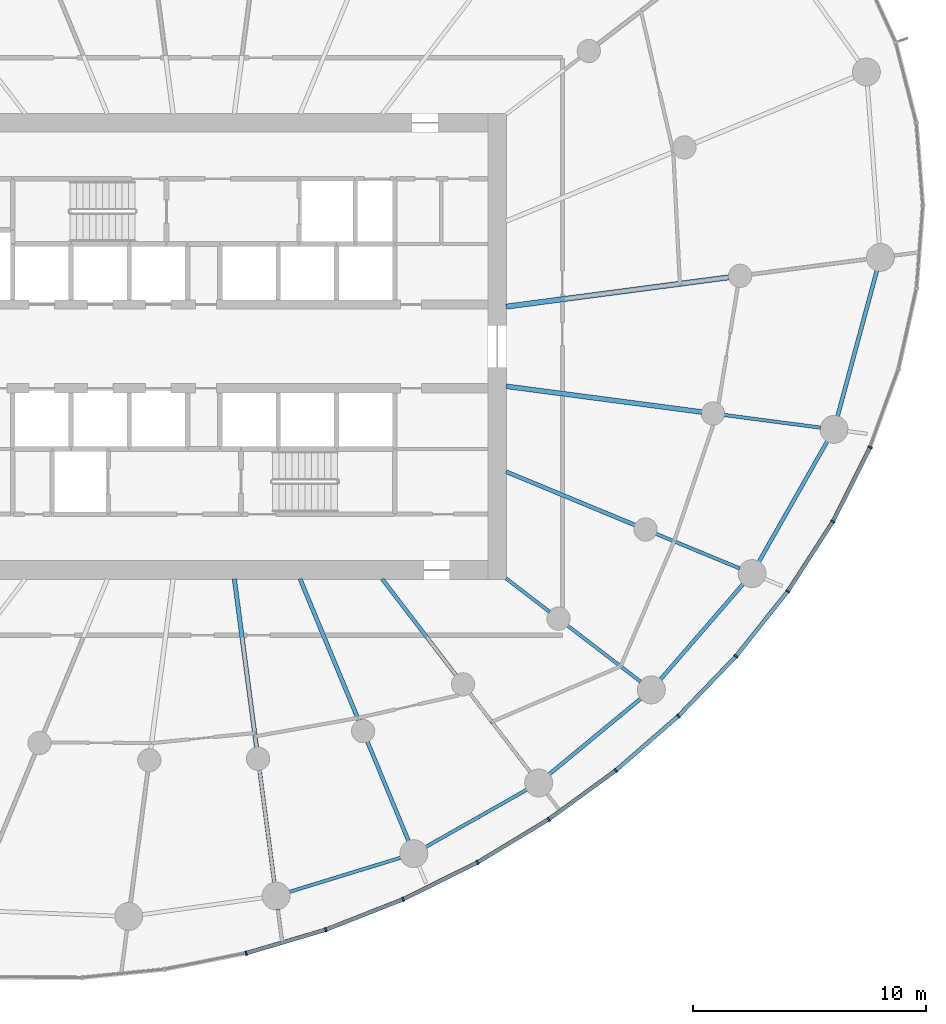
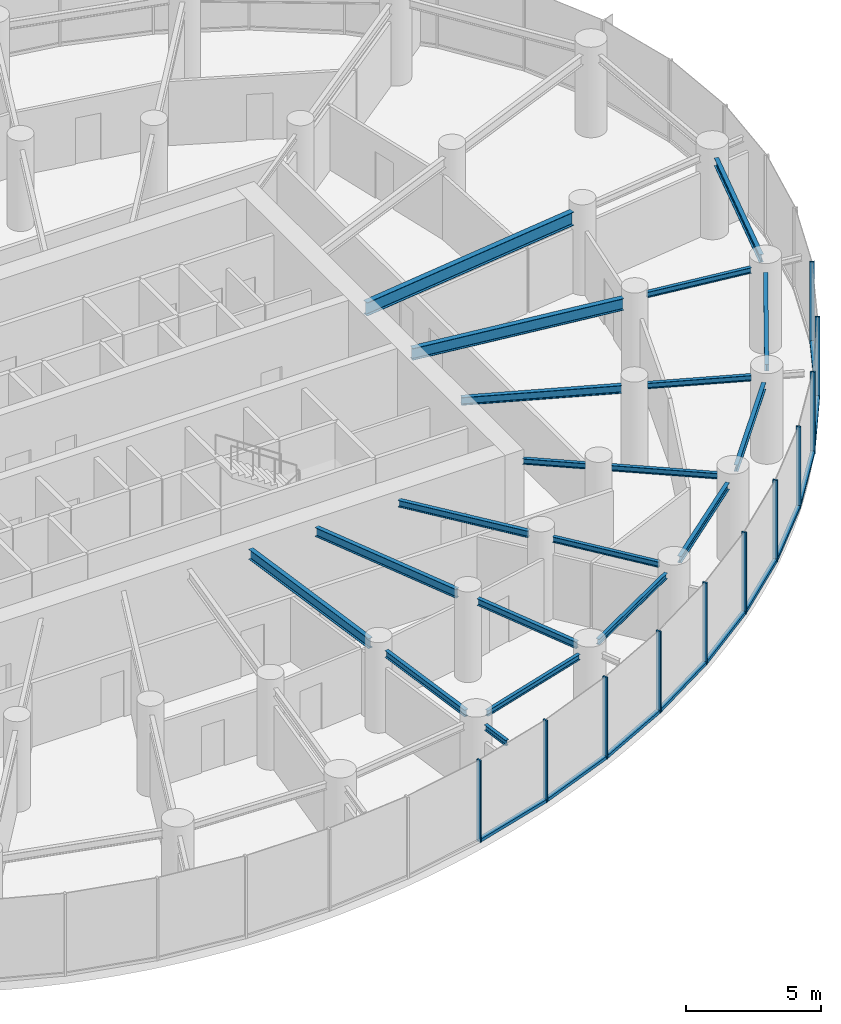
# One storey, part 4 of 17: 21 members, 20 beams, 3 elements without a shape of their own.
"""IFC4 building model written with IfcOpenShell, lengths in metres."""

from ifc_helpers import new_model, si_unit, direction, frame, origin, origin_2d, place, context, subcontext, project, spatial, rectangle, i_section, extrude, source, transform, mapped, material, layer, layer_set, material_profile, profile_set, type_object, element, aggregate, save


model = new_model("IFC4")

# Units and contexts
model_context = context("Model", 3, precision=1e-05, world=origin(), true_north=direction((0.0, 1.0)))
body_context = subcontext(model_context, "Body", "Model", "MODEL_VIEW")
ifc_project = project(units=[si_unit("LENGTHUNIT", "METRE"), si_unit("AREAUNIT", "SQUARE_METRE"), si_unit("VOLUMEUNIT", "CUBIC_METRE"), si_unit("PLANEANGLEUNIT", "RADIAN"), si_unit("MASSUNIT", "GRAM", prefix="KILO")], contexts=[model_context])

# Site, building, storey
site_placement = place(None, origin())
site = spatial("IfcSite", under=ifc_project, at=site_placement, CompositionType="ELEMENT")
building_placement = place(site_placement, origin())
building = spatial("IfcBuilding", under=site, at=building_placement, Name="Spindrift Exchange Tower", CompositionType="ELEMENT")
storey_placement = place(building_placement, frame((0.0, 0.0, 120.800048828125)))
storey = spatial("IfcBuildingStorey", under=building, at=storey_placement, Name="L28", CompositionType="ELEMENT", Elevation=120.800048828125)

# Beams
ifc_material_1 = material(Name="Steel Grade 300", Category="steel")
ifc_material_profile_1 = material_profile(ifc_material_1, i_section(OverallWidth=0.22802734375, OverallDepth=0.60693359375, WebThickness=0.01123046875, FlangeThickness=0.017333984375, FilletRadius=0.013916015625, at=origin_2d()), Name="610UB113")
ifc_profile_set_1 = profile_set([ifc_material_profile_1], Name="Steel Grade 300")
beam_type_1 = type_object("IfcBeamType", Name="Floor Beam 610UB113 Steel Grade 300", PredefinedType="BEAM", material=ifc_profile_set_1)
shared_shape_1 = source(origin(), body_context, "Body", "SweptSolid", [
    extrude(i_section(OverallWidth=0.22802734375, OverallDepth=0.60693359375, WebThickness=0.01123046875, FlangeThickness=0.017333984375, FilletRadius=0.013916015625, at=origin_2d()), origin(), (0.0, 0.0, 1.0), 9.660400390625),
])
beam_1_placement = place(storey_placement, frame((64.980224609375, 49.708984375, 3.396484375), z_axis=(0.99144767089, 0.130504850054, 0.0), x_axis=(-0.130504850054, 0.99144767089, 0.0)))
element("IfcBeam", 1, at=beam_1_placement, inside=storey, type_object=beam_type_1, Name="L28 radial beam R01A", PredefinedType="BEAM", context=body_context, shape_type="MappedRepresentation", body=[
    mapped(shared_shape_1, transform((0.0, 0.0, 0.0), scale=1.0)),
])
ifc_material_profile_2 = material_profile(ifc_material_1, i_section(OverallWidth=0.18994140625, OverallDepth=0.45703125, WebThickness=0.009033203125, FlangeThickness=0.014404296875, FilletRadius=0.013916015625, at=origin_2d()), Name="460UB74.6")
ifc_profile_set_2 = profile_set([ifc_material_profile_2], Name="Steel Grade 300")
beam_type_2 = type_object("IfcBeamType", Name="Floor Beam 460UB74.6 Steel Grade 300", PredefinedType="BEAM", material=ifc_profile_set_2)
shared_shape_2 = source(origin(), body_context, "Body", "SweptSolid", [
    extrude(i_section(OverallWidth=0.18994140625, OverallDepth=0.45703125, WebThickness=0.009033203125, FlangeThickness=0.014404296875, FilletRadius=0.013916015625, at=origin_2d()), origin(), (0.0, 0.0, 1.0), 7.3095703125),
])
beam_2_placement = place(storey_placement, frame((53.31396484375, 38.019775390625, 3.471435546875), z_axis=(0.130527087244, -0.991444743541, 0.0), x_axis=(0.991444743541, 0.130527087244, 0.0)))
element("IfcBeam", 2, at=beam_2_placement, inside=storey, type_object=beam_type_2, Name="L28 radial beam R19A", PredefinedType="BEAM", context=body_context, shape_type="MappedRepresentation", body=[
    mapped(shared_shape_2, transform((0.0, 0.0, 0.0), scale=1.0)),
])
ifc_material_profile_3 = material_profile(ifc_material_1, i_section(OverallWidth=0.177978515625, OverallDepth=0.406005859375, WebThickness=0.0078125, FlangeThickness=0.0126953125, FilletRadius=0.013916015625, at=origin_2d()), Name="410UB59.7")
ifc_profile_set_3 = profile_set([ifc_material_profile_3], Name="Steel Grade 300")
beam_type_3 = type_object("IfcBeamType", Name="Floor Beam 410UB59.7 Steel Grade 300", PredefinedType="BEAM", material=ifc_profile_set_3)
shared_shape_3 = source(origin(), body_context, "Body", "SweptSolid", [
    extrude(i_section(OverallWidth=0.177978515625, OverallDepth=0.406005859375, WebThickness=0.0078125, FlangeThickness=0.0126953125, FilletRadius=0.013916015625, at=origin_2d()), origin(), (0.0, 0.0, 1.0), 6.594482421875),
])
beam_3_placement = place(storey_placement, frame((56.134521484375, 38.0185546875, 3.4970703125), z_axis=(0.382692929746, -0.92387559851, 0.0), x_axis=(0.92387559851, 0.382692929746, 0.0)))
element("IfcBeam", 3, at=beam_3_placement, inside=storey, type_object=beam_type_3, Name="L28 radial beam R20A", PredefinedType="BEAM", context=body_context, shape_type="MappedRepresentation", body=[
    mapped(shared_shape_3, transform((0.0, 0.0, 0.0), scale=1.0)),
])
ifc_material_profile_4 = material_profile(ifc_material_1, i_section(OverallWidth=0.1650390625, OverallDepth=0.303955078125, WebThickness=0.006103515625, FlangeThickness=0.01025390625, FilletRadius=0.011474609375, at=origin_2d()), Name="310UB40.4")
ifc_profile_set_4 = profile_set([ifc_material_profile_4], Name="Steel Grade 300")
beam_type_4 = type_object("IfcBeamType", Name="Floor Beam 310UB40.4 Steel Grade 300", PredefinedType="BEAM", material=ifc_profile_set_4)
shared_shape_4 = source(origin(), body_context, "Body", "SweptSolid", [
    extrude(i_section(OverallWidth=0.1650390625, OverallDepth=0.303955078125, WebThickness=0.006103515625, FlangeThickness=0.01025390625, FilletRadius=0.011474609375, at=origin_2d()), origin(), (0.0, 0.0, 1.0), 5.224609375),
])
beam_4_placement = place(storey_placement, frame((59.6611328125, 38.015869140625, 3.5478515625), z_axis=(0.608741499316, -0.793368632485, 0.0), x_axis=(0.793368632485, 0.608741499316, 0.0)))
element("IfcBeam", 4, at=beam_4_placement, inside=storey, type_object=beam_type_4, Name="L28 radial beam R21A", PredefinedType="BEAM", context=body_context, shape_type="MappedRepresentation", body=[
    mapped(shared_shape_4, transform((0.0, 0.0, 0.0), scale=1.0)),
])
ifc_material_profile_5 = material_profile(ifc_material_1, i_section(OverallWidth=0.14599609375, OverallDepth=0.251953125, WebThickness=0.006103515625, FlangeThickness=0.008544921875, FilletRadius=0.011962890625, at=origin_2d()), Name="250UB31.4")
ifc_profile_set_5 = profile_set([ifc_material_profile_5], Name="Steel Grade 300")
beam_type_5 = type_object("IfcBeamType", Name="Floor Beam 250UB31.4 Steel Grade 300", PredefinedType="BEAM", material=ifc_profile_set_5)
shared_shape_5 = source(origin(), body_context, "Body", "SweptSolid", [
    extrude(i_section(OverallWidth=0.14599609375, OverallDepth=0.251953125, WebThickness=0.006103515625, FlangeThickness=0.008544921875, FilletRadius=0.011962890625, at=origin_2d()), origin(), (0.0, 0.0, 1.0), 2.353759765625),
])
beam_5_placement = place(storey_placement, frame((64.984130859375, 38.036865234375, 3.573974609375), z_axis=(0.793367573265, -0.608742879787, 0.0), x_axis=(0.608742879787, 0.793367573265, 0.0)))
element("IfcBeam", 5, at=beam_5_placement, inside=storey, type_object=beam_type_5, Name="L28 radial beam R22A", PredefinedType="BEAM", context=body_context, shape_type="MappedRepresentation", body=[
    mapped(shared_shape_5, transform((0.0, 0.0, 0.0), scale=1.0)),
])
ifc_material_profile_6 = material_profile(ifc_material_1, i_section(OverallWidth=0.172119140625, OverallDepth=0.35888671875, WebThickness=0.008056640625, FlangeThickness=0.012939453125, FilletRadius=0.013916015625, at=origin_2d()), Name="360UB56.7")
ifc_profile_set_6 = profile_set([ifc_material_profile_6], Name="Steel Grade 300")
beam_type_6 = type_object("IfcBeamType", Name="Floor Beam 360UB56.7 Steel Grade 300", PredefinedType="BEAM", material=ifc_profile_set_6)
shared_shape_6 = source(origin(), body_context, "Body", "SweptSolid", [
    extrude(i_section(OverallWidth=0.172119140625, OverallDepth=0.35888671875, WebThickness=0.008056640625, FlangeThickness=0.012939453125, FilletRadius=0.013916015625, at=origin_2d()), origin(), (0.0, 0.0, 1.0), 6.004638671875),
])
beam_6_placement = place(storey_placement, frame((64.9814453125, 42.622802734375, 3.5205078125), z_axis=(0.923882044911, -0.38267736684, 0.0), x_axis=(0.38267736684, 0.923882044911, 0.0)))
element("IfcBeam", 6, at=beam_6_placement, inside=storey, type_object=beam_type_6, Name="L28 radial beam R23A", PredefinedType="BEAM", context=body_context, shape_type="MappedRepresentation", body=[
    mapped(shared_shape_6, transform((0.0, 0.0, 0.0), scale=1.0)),
])
ifc_material_profile_7 = material_profile(ifc_material_1, i_section(OverallWidth=0.208984375, OverallDepth=0.532958984375, WebThickness=0.01025390625, FlangeThickness=0.015625, FilletRadius=0.013916015625, at=origin_2d()), Name="530UB92.4")
ifc_profile_set_7 = profile_set([ifc_material_profile_7], Name="Steel Grade 300")
beam_type_7 = type_object("IfcBeamType", Name="Floor Beam 530UB92.4 Steel Grade 300", PredefinedType="BEAM", material=ifc_profile_set_7)
shared_shape_7 = source(origin(), body_context, "Body", "SweptSolid", [
    extrude(i_section(OverallWidth=0.208984375, OverallDepth=0.532958984375, WebThickness=0.01025390625, FlangeThickness=0.015625, FilletRadius=0.013916015625, at=origin_2d()), origin(), (0.0, 0.0, 1.0), 8.4794921875),
])
beam_7_placement = place(storey_placement, frame((64.980224609375, 46.291015625, 3.433349609375), z_axis=(0.991446551951, -0.13051335037, 0.0), x_axis=(0.13051335037, 0.991446551951, 0.0)))
element("IfcBeam", 7, at=beam_7_placement, inside=storey, type_object=beam_type_7, Name="L28 radial beam R24A", PredefinedType="BEAM", context=body_context, shape_type="MappedRepresentation", body=[
    mapped(shared_shape_7, transform((0.0, 0.0, 0.0), scale=1.0)),
])
shared_shape_8 = source(origin(), body_context, "Body", "SweptSolid", [
    extrude(i_section(OverallWidth=0.1650390625, OverallDepth=0.303955078125, WebThickness=0.006103515625, FlangeThickness=0.01025390625, FilletRadius=0.011474609375, at=origin_2d()), origin(), (0.0, 0.0, 1.0), 4.883056640625),
])
beam_8_placement = place(storey_placement, frame((54.393310546875, 29.82080078125, 3.5478515625), z_axis=(0.130542457964, -0.991442719812, 0.0), x_axis=(0.991442719812, 0.130542457964, 0.0)))
element("IfcBeam", 8, at=beam_8_placement, inside=storey, type_object=beam_type_4, Name="L28 radial beam R19B", PredefinedType="BEAM", context=body_context, shape_type="MappedRepresentation", body=[
    mapped(shared_shape_8, transform((0.0, 0.0, 0.0), scale=1.0)),
])
shared_shape_9 = source(origin(), body_context, "Body", "SweptSolid", [
    extrude(i_section(OverallWidth=0.1650390625, OverallDepth=0.303955078125, WebThickness=0.006103515625, FlangeThickness=0.01025390625, FilletRadius=0.011474609375, at=origin_2d()), origin(), (0.0, 0.0, 1.0), 4.63671875),
])
beam_9_placement = place(storey_placement, frame((59.025390625, 31.0390625, 3.5478515625), z_axis=(0.382692818086, -0.923875644763, 0.0), x_axis=(0.923875644763, 0.382692818086, 0.0)))
element("IfcBeam", 9, at=beam_9_placement, inside=storey, type_object=beam_type_4, Name="L28 radial beam R20B", PredefinedType="BEAM", context=body_context, shape_type="MappedRepresentation", body=[
    mapped(shared_shape_9, transform((0.0, 0.0, 0.0), scale=1.0)),
])
shared_shape_10 = source(origin(), body_context, "Body", "SweptSolid", [
    extrude(i_section(OverallWidth=0.14599609375, OverallDepth=0.251953125, WebThickness=0.006103515625, FlangeThickness=0.008544921875, FilletRadius=0.011962890625, at=origin_2d()), origin(), (0.0, 0.0, 1.0), 4.27587890625),
])
beam_10_placement = place(storey_placement, frame((63.426025390625, 33.109375, 3.573974609375), z_axis=(0.608725184746, -0.793381150177, 0.0), x_axis=(0.793381150177, 0.608725184746, 0.0)))
element("IfcBeam", 10, at=beam_10_placement, inside=storey, type_object=beam_type_5, Name="L28 radial beam R21B", PredefinedType="BEAM", context=body_context, shape_type="MappedRepresentation", body=[
    mapped(shared_shape_10, transform((0.0, 0.0, 0.0), scale=1.0)),
])
shared_shape_11 = source(origin(), body_context, "Body", "SweptSolid", [
    extrude(i_section(OverallWidth=0.14599609375, OverallDepth=0.251953125, WebThickness=0.006103515625, FlangeThickness=0.008544921875, FilletRadius=0.011962890625, at=origin_2d()), origin(), (0.0, 0.0, 1.0), 3.966064453125),
])
beam_11_placement = place(storey_placement, frame((67.61328125, 36.01953125, 3.573974609375), z_axis=(0.79336256318, -0.608749409318, 0.0), x_axis=(0.608749409318, 0.79336256318, 0.0)))
element("IfcBeam", 11, at=beam_11_placement, inside=storey, type_object=beam_type_5, Name="L28 radial beam R22B", PredefinedType="BEAM", context=body_context, shape_type="MappedRepresentation", body=[
    mapped(shared_shape_11, transform((0.0, 0.0, 0.0), scale=1.0)),
])
shared_shape_12 = source(origin(), body_context, "Body", "SweptSolid", [
    extrude(i_section(OverallWidth=0.14599609375, OverallDepth=0.251953125, WebThickness=0.006103515625, FlangeThickness=0.008544921875, FilletRadius=0.011962890625, at=origin_2d()), origin(), (0.0, 0.0, 1.0), 3.892333984375),
])
beam_12_placement = place(storey_placement, frame((71.416015625, 39.95751953125, 3.573974609375), z_axis=(0.923878458273, -0.382686025794, 0.0), x_axis=(0.382686025794, 0.923878458273, 0.0)))
element("IfcBeam", 12, at=beam_12_placement, inside=storey, type_object=beam_type_5, Name="L28 radial beam R23B", PredefinedType="BEAM", context=body_context, shape_type="MappedRepresentation", body=[
    mapped(shared_shape_12, transform((0.0, 0.0, 0.0), scale=1.0)),
])
shared_shape_13 = source(origin(), body_context, "Body", "SweptSolid", [
    extrude(i_section(OverallWidth=0.14599609375, OverallDepth=0.251953125, WebThickness=0.006103515625, FlangeThickness=0.008544921875, FilletRadius=0.011962890625, at=origin_2d()), origin(), (0.0, 0.0, 1.0), 4.186279296875),
])
beam_13_placement = place(storey_placement, frame((74.339111328125, 45.05908203125, 3.573974609375), z_axis=(0.991445559167, -0.130520891848, 0.0), x_axis=(0.130520891848, 0.991445559167, 0.0)))
element("IfcBeam", 13, at=beam_13_placement, inside=storey, type_object=beam_type_5, Name="L28 radial beam R24B", PredefinedType="BEAM", context=body_context, shape_type="MappedRepresentation", body=[
    mapped(shared_shape_13, transform((0.0, 0.0, 0.0), scale=1.0)),
])
ifc_material_profile_8 = material_profile(ifc_material_1, i_section(OverallWidth=0.14599609375, OverallDepth=0.251953125, WebThickness=0.006103515625, FlangeThickness=0.008544921875, FilletRadius=0.011962890625, at=origin_2d()), Name="250UB31.4")
ifc_profile_set_8 = profile_set([ifc_material_profile_8], Name="Steel Grade 300")
beam_type_8 = type_object("IfcBeamType", Name="Edge Beam 250UB31.4 Steel Grade 300", PredefinedType="SPANDREL", material=ifc_profile_set_8)
shared_shape_14 = source(origin(), body_context, "Body", "SweptSolid", [
    extrude(i_section(OverallWidth=0.14599609375, OverallDepth=0.251953125, WebThickness=0.006103515625, FlangeThickness=0.008544921875, FilletRadius=0.011962890625, at=origin_2d()), origin(), (0.0, 0.0, 1.0), 5.027587890625),
])
beam_14_placement = place(storey_placement, frame((55.660888671875, 24.57470703125, 3.573974609375), z_axis=(0.956018084082, 0.293307727325, 0.0), x_axis=(-0.293307727325, 0.956018084082, 0.0)))
element("IfcBeam", 14, at=beam_14_placement, inside=storey, type_object=beam_type_8, Name="L28 edge beam E19", PredefinedType="SPANDREL", context=body_context, shape_type="MappedRepresentation", body=[
    mapped(shared_shape_14, transform((0.0, 0.0, 0.0), scale=1.0)),
])
shared_shape_15 = source(origin(), body_context, "Body", "SweptSolid", [
    extrude(i_section(OverallWidth=0.14599609375, OverallDepth=0.251953125, WebThickness=0.006103515625, FlangeThickness=0.008544921875, FilletRadius=0.011962890625, at=origin_2d()), origin(), (0.0, 0.0, 1.0), 5.0009765625),
])
beam_15_placement = place(storey_placement, frame((61.5263671875, 26.505615234375, 3.573974609375), z_axis=(0.870045916697, 0.492970691663, 0.0), x_axis=(-0.492970691663, 0.870045916697, 0.0)))
element("IfcBeam", 15, at=beam_15_placement, inside=storey, type_object=beam_type_8, Name="L28 edge beam E20", PredefinedType="SPANDREL", context=body_context, shape_type="MappedRepresentation", body=[
    mapped(shared_shape_15, transform((0.0, 0.0, 0.0), scale=1.0)),
])
ifc_material_profile_9 = material_profile(ifc_material_1, i_section(OverallWidth=0.1650390625, OverallDepth=0.303955078125, WebThickness=0.006103515625, FlangeThickness=0.01025390625, FilletRadius=0.011474609375, at=origin_2d()), Name="310UB40.4")
ifc_profile_set_9 = profile_set([ifc_material_profile_9], Name="Steel Grade 300")
beam_type_9 = type_object("IfcBeamType", Name="Edge Beam 310UB40.4 Steel Grade 300", PredefinedType="SPANDREL", material=ifc_profile_set_9)
shared_shape_16 = source(origin(), body_context, "Body", "SweptSolid", [
    extrude(i_section(OverallWidth=0.1650390625, OverallDepth=0.303955078125, WebThickness=0.006103515625, FlangeThickness=0.01025390625, FilletRadius=0.011474609375, at=origin_2d()), origin(), (0.0, 0.0, 1.0), 5.114501953125),
])
beam_16_placement = place(storey_placement, frame((66.8291015625, 29.626220703125, 3.5478515625), z_axis=(0.771073837992, 0.63674573918, 0.0), x_axis=(-0.63674573918, 0.771073837992, 0.0)))
element("IfcBeam", 16, at=beam_16_placement, inside=storey, type_object=beam_type_9, Name="L28 edge beam E21", PredefinedType="SPANDREL", context=body_context, shape_type="MappedRepresentation", body=[
    mapped(shared_shape_16, transform((0.0, 0.0, 0.0), scale=1.0)),
])
shared_shape_17 = source(origin(), body_context, "Body", "SweptSolid", [
    extrude(i_section(OverallWidth=0.1650390625, OverallDepth=0.303955078125, WebThickness=0.006103515625, FlangeThickness=0.01025390625, FilletRadius=0.011474609375, at=origin_2d()), origin(), (0.0, 0.0, 1.0), 5.448486328125),
])
beam_17_placement = place(storey_placement, frame((71.599609375, 33.6904296875, 3.5478515625), z_axis=(0.654922008827, 0.755696475018, 0.0), x_axis=(-0.755696475018, 0.654922008827, 0.0)))
element("IfcBeam", 17, at=beam_17_placement, inside=storey, type_object=beam_type_9, Name="L28 edge beam E22", PredefinedType="SPANDREL", context=body_context, shape_type="MappedRepresentation", body=[
    mapped(shared_shape_17, transform((0.0, 0.0, 0.0), scale=1.0)),
])
shared_shape_18 = source(origin(), body_context, "Body", "SweptSolid", [
    extrude(i_section(OverallWidth=0.1650390625, OverallDepth=0.303955078125, WebThickness=0.006103515625, FlangeThickness=0.01025390625, FilletRadius=0.011474609375, at=origin_2d()), origin(), (0.0, 0.0, 1.0), 5.9599609375),
])
beam_18_placement = place(storey_placement, frame((75.834228515625, 38.75048828125, 3.5478515625), z_axis=(0.493940434745, 0.869495742901, 0.0), x_axis=(-0.869495742901, 0.493940434745, 0.0)))
element("IfcBeam", 18, at=beam_18_placement, inside=storey, type_object=beam_type_9, Name="L28 edge beam E23", PredefinedType="SPANDREL", context=body_context, shape_type="MappedRepresentation", body=[
    mapped(shared_shape_18, transform((0.0, 0.0, 0.0), scale=1.0)),
])
ifc_material_profile_10 = material_profile(ifc_material_1, i_section(OverallWidth=0.172119140625, OverallDepth=0.35888671875, WebThickness=0.008056640625, FlangeThickness=0.012939453125, FilletRadius=0.013916015625, at=origin_2d()), Name="360UB56.7")
ifc_profile_set_10 = profile_set([ifc_material_profile_10], Name="Steel Grade 300")
beam_type_10 = type_object("IfcBeamType", Name="Edge Beam 360UB56.7 Steel Grade 300", PredefinedType="SPANDREL", material=ifc_profile_set_10)
shared_shape_19 = source(origin(), body_context, "Body", "SweptSolid", [
    extrude(i_section(OverallWidth=0.172119140625, OverallDepth=0.35888671875, WebThickness=0.008056640625, FlangeThickness=0.012939453125, FilletRadius=0.013916015625, at=origin_2d()), origin(), (0.0, 0.0, 1.0), 6.4921875),
])
beam_19_placement = place(storey_placement, frame((79.215576171875, 44.996826171875, 3.5205078125), z_axis=(0.260262058381, 0.965538016324, 0.0), x_axis=(-0.965538016324, 0.260262058381, 0.0)))
element("IfcBeam", 19, at=beam_19_placement, inside=storey, type_object=beam_type_10, Name="L28 edge beam E24", PredefinedType="SPANDREL", context=body_context, shape_type="MappedRepresentation", body=[
    mapped(shared_shape_19, transform((0.0, 0.0, 0.0), scale=1.0)),
])
ifc_material_profile_11 = material_profile(ifc_material_1, i_section(OverallWidth=0.14599609375, OverallDepth=0.251953125, WebThickness=0.006103515625, FlangeThickness=0.008544921875, FilletRadius=0.011962890625, at=origin_2d()), Name="250UB31.4")
ifc_profile_set_11 = profile_set([ifc_material_profile_11], Name="Steel Grade 300")
beam_type_11 = type_object("IfcBeamType", Name="Cantilever Beam 250UB31.4 Steel Grade 300", PredefinedType="BEAM", material=ifc_profile_set_11)
shared_shape_20 = source(origin(), body_context, "Body", "SweptSolid", [
    extrude(i_section(OverallWidth=0.14599609375, OverallDepth=0.251953125, WebThickness=0.006103515625, FlangeThickness=0.008544921875, FilletRadius=0.011962890625, at=origin_2d()), origin(), (0.0, 0.0, 1.0), 1.315673828125),
])
beam_20_placement = place(storey_placement, frame((55.18212890625, 23.82958984375, 3.573974609375), z_axis=(0.130449712477, -0.991454927122, 0.0), x_axis=(0.991454927122, 0.130449712477, 0.0)))
element("IfcBeam", 20, at=beam_20_placement, inside=storey, type_object=beam_type_11, Name="L28 cantilever beam R19T", PredefinedType="BEAM", context=body_context, shape_type="MappedRepresentation", body=[
    mapped(shared_shape_20, transform((0.0, 0.0, 0.0), scale=1.0)),
])

# Curtain wall, member
ifc_material_2 = material(Name="Fritted laminated glass with bronze frame", Category="glass")
ifc_layer = layer(ifc_material_2, 0.18994140625)
ifc_layer_set = layer_set([ifc_layer], Name="ZONE 2 BRONZE FRITTED WALL")
curtain_wall_type = type_object("IfcCurtainWallType", Name="ZONE 2 BRONZE FRITTED WALL", PredefinedType="NOTDEFINED", material=ifc_layer_set)
curtain_wall_1_placement = place(storey_placement, origin())
curtain_wall_1 = element("IfcCurtainWall", 21, at=curtain_wall_1_placement, inside=storey, type_object=curtain_wall_type, Name="L28 Zone 2 Bronze Fritted Wall run 6", PredefinedType="NOTDEFINED")
ifc_material_3 = material(Name="Bronze anodised aluminium", Category="aluminium")
ifc_material_profile_12 = material_profile(ifc_material_3, rectangle(XDim=0.074951171875, YDim=0.18994140625, at=origin_2d()), Name="ZONE 2 BRONZE FRITTED WALL MULLION 75X190")
ifc_profile_set_12 = profile_set([ifc_material_profile_12], Name="Bronze anodised aluminium")
member_type_1 = type_object("IfcMemberType", Name="ZONE 2 BRONZE FRITTED WALL MULLION 75X190", PredefinedType="MULLION", material=ifc_profile_set_12)
shared_shape_21 = source(origin(), body_context, "Body", "SweptSolid", [
    extrude(rectangle(XDim=0.074951171875, YDim=0.18994140625, at=origin_2d()), origin(), (0.0, 0.0, 1.0), 3.699951171875),
])
member_1_placement = place(storey_placement, frame((53.821533203125, 21.943603515625, 0.0), z_axis=(0.0, 0.0, 1.0), x_axis=(0.970895899068, 0.239501885531, 0.0)))
member_1 = element("IfcMember", 22, at=member_1_placement, type_object=member_type_1, Name="L28 mullion CW-2.36", PredefinedType="MULLION", context=body_context, shape_type="MappedRepresentation", body=[
    mapped(shared_shape_21, transform((0.0, 0.0, 0.0), scale=1.0)),
])

# Curtain wall, members
curtain_wall_2_placement = place(storey_placement, origin())
curtain_wall_2 = element("IfcCurtainWall", 23, at=curtain_wall_2_placement, inside=storey, type_object=curtain_wall_type, Name="L28 Zone 2 Bronze Fritted Wall run 7", PredefinedType="NOTDEFINED")
member_2_placement = place(storey_placement, frame((57.241943359375, 22.95458984375, 0.0), z_axis=(0.0, 0.0, 1.0), x_axis=(0.945675297388, 0.325112644956, 0.0)))
member_2 = element("IfcMember", 24, at=member_2_placement, type_object=member_type_1, Name="L28 mullion CW-2.37", PredefinedType="MULLION", context=body_context, shape_type="MappedRepresentation", body=[
    mapped(shared_shape_21, transform((0.0, 0.0, 0.0), scale=1.0)),
])
member_3_placement = place(storey_placement, frame((60.560791015625, 24.260498046875, 0.0), z_axis=(0.0, 0.0, 1.0), x_axis=(0.914099031847, 0.405491010969, 0.0)))
member_3 = element("IfcMember", 25, at=member_3_placement, type_object=member_type_1, Name="L28 mullion CW-2.38", PredefinedType="MULLION", context=body_context, shape_type="MappedRepresentation", body=[
    mapped(shared_shape_21, transform((0.0, 0.0, 0.0), scale=1.0)),
])
member_4_placement = place(storey_placement, frame((63.756591796875, 25.844482421875, 0.0), z_axis=(0.0, 0.0, 1.0), x_axis=(0.876466140753, 0.481463502369, 0.0)))
member_4 = element("IfcMember", 26, at=member_4_placement, type_object=member_type_1, Name="L28 mullion CW-2.39", PredefinedType="MULLION", context=body_context, shape_type="MappedRepresentation", body=[
    mapped(shared_shape_21, transform((0.0, 0.0, 0.0), scale=1.0)),
])
member_5_placement = place(storey_placement, frame((66.8076171875, 27.69189453125, 0.0), z_axis=(0.0, 0.0, 1.0), x_axis=(0.832714741659, 0.553702229563, 0.0)))
member_5 = element("IfcMember", 27, at=member_5_placement, type_object=member_type_1, Name="L28 mullion CW-2.40", PredefinedType="MULLION", context=body_context, shape_type="MappedRepresentation", body=[
    mapped(shared_shape_21, transform((0.0, 0.0, 0.0), scale=1.0)),
])
member_6_placement = place(storey_placement, frame((69.69140625, 29.790771484375, 0.0), z_axis=(0.0, 0.0, 1.0), x_axis=(0.782425371966, 0.622744359512, 0.0)))
member_6 = element("IfcMember", 28, at=member_6_placement, type_object=member_type_1, Name="L28 mullion CW-2.41", PredefinedType="MULLION", context=body_context, shape_type="MappedRepresentation", body=[
    mapped(shared_shape_21, transform((0.0, 0.0, 0.0), scale=1.0)),
])
member_7_placement = place(storey_placement, frame((72.383544921875, 32.130126953125, 0.0), z_axis=(0.0, 0.0, 1.0), x_axis=(0.724901913349, 0.688852100253, 0.0)))
member_7 = element("IfcMember", 29, at=member_7_placement, type_object=member_type_1, Name="L28 mullion CW-2.42", PredefinedType="MULLION", context=body_context, shape_type="MappedRepresentation", body=[
    mapped(shared_shape_21, transform((0.0, 0.0, 0.0), scale=1.0)),
])

curtain_wall_3_placement = place(storey_placement, origin())
curtain_wall_3 = element("IfcCurtainWall", 30, at=curtain_wall_3_placement, inside=storey, type_object=curtain_wall_type, Name="L28 Zone 2 Bronze Fritted Wall run 8", PredefinedType="NOTDEFINED")
member_8_placement = place(storey_placement, frame((74.85693359375, 34.69970703125, 0.0), z_axis=(0.0, 0.0, 1.0), x_axis=(0.659084602981, 0.752068804109, 0.0)))
member_8 = element("IfcMember", 31, at=member_8_placement, type_object=member_type_1, Name="L28 mullion CW-2.43", PredefinedType="MULLION", context=body_context, shape_type="MappedRepresentation", body=[
    mapped(shared_shape_21, transform((0.0, 0.0, 0.0), scale=1.0)),
])
member_9_placement = place(storey_placement, frame((77.07958984375, 37.488525390625, 0.0), z_axis=(0.0, 0.0, 1.0), x_axis=(0.583586984486, 0.812050633605, 0.0)))
member_9 = element("IfcMember", 32, at=member_9_placement, type_object=member_type_1, Name="L28 mullion CW-2.44", PredefinedType="MULLION", context=body_context, shape_type="MappedRepresentation", body=[
    mapped(shared_shape_21, transform((0.0, 0.0, 0.0), scale=1.0)),
])
member_10_placement = place(storey_placement, frame((79.014404296875, 40.484375, 0.0), z_axis=(0.0, 0.0, 1.0), x_axis=(0.496685202631, 0.867930763072, 0.0)))
member_10 = element("IfcMember", 33, at=member_10_placement, type_object=member_type_1, Name="L28 mullion CW-2.45", PredefinedType="MULLION", context=body_context, shape_type="MappedRepresentation", body=[
    mapped(shared_shape_21, transform((0.0, 0.0, 0.0), scale=1.0)),
])
member_11_placement = place(storey_placement, frame((80.616943359375, 43.669921875, 0.0), z_axis=(0.0, 0.0, 1.0), x_axis=(0.396407727385, 0.918074568687, 0.0)))
member_11 = element("IfcMember", 34, at=member_11_placement, type_object=member_type_1, Name="L28 mullion CW-2.46", PredefinedType="MULLION", context=body_context, shape_type="MappedRepresentation", body=[
    mapped(shared_shape_21, transform((0.0, 0.0, 0.0), scale=1.0)),
])
ifc_material_profile_13 = material_profile(ifc_material_3, rectangle(XDim=0.169921875, YDim=0.139892578125, at=origin_2d()), Name="ZONE 2 BRONZE FRITTED WALL TRANSOM 170X140")
ifc_profile_set_13 = profile_set([ifc_material_profile_13], Name="Bronze anodised aluminium")
member_type_2 = type_object("IfcMemberType", Name="ZONE 2 BRONZE FRITTED WALL TRANSOM 170X140", PredefinedType="USERDEFINED", material=ifc_profile_set_13)
shared_shape_22 = source(origin(), body_context, "Body", "SweptSolid", [
    extrude(rectangle(XDim=0.169921875, YDim=0.139892578125, at=origin_2d()), origin(), (0.0, 0.0, 1.0), 3.4912109375),
])
member_12_placement = place(storey_placement, frame((74.88037109375, 34.72900390625, 0.070068359375), z_axis=(0.623227095243, 0.782040911816, 0.0), x_axis=(-0.782040911816, 0.623227095243, 0.0)))
member_12 = element("IfcMember", 35, at=member_12_placement, type_object=member_type_2, Name="L28 transom CW-2.43", ObjectType="TRANSOM", PredefinedType="USERDEFINED", context=body_context, shape_type="MappedRepresentation", body=[
    mapped(shared_shape_22, transform((0.0, 0.0, 0.0), scale=1.0)),
])
member_13_placement = place(storey_placement, frame((77.099853515625, 37.52001953125, 0.070068359375), z_axis=(0.542505898446, 0.840051992528, 0.0), x_axis=(-0.840051992528, 0.542505898446, 0.0)))
member_13 = element("IfcMember", 36, at=member_13_placement, type_object=member_type_2, Name="L28 transom CW-2.44", ObjectType="TRANSOM", PredefinedType="USERDEFINED", context=body_context, shape_type="MappedRepresentation", body=[
    mapped(shared_shape_22, transform((0.0, 0.0, 0.0), scale=1.0)),
])

# Member
shared_shape_23 = source(origin(), body_context, "Body", "SweptSolid", [
    extrude(rectangle(XDim=0.169921875, YDim=0.139892578125, at=origin_2d()), origin(), (0.0, 0.0, 1.0), 3.49169921875),
])
member_14_placement = place(storey_placement, frame((53.857666015625, 21.954345703125, 0.070068359375), z_axis=(0.958982723052, 0.283464524918, 0.0), x_axis=(-0.283464524918, 0.958982723052, 0.0)))
member_14 = element("IfcMember", 37, at=member_14_placement, type_object=member_type_2, Name="L28 transom CW-2.36", ObjectType="TRANSOM", PredefinedType="USERDEFINED", context=body_context, shape_type="MappedRepresentation", body=[
    mapped(shared_shape_23, transform((0.0, 0.0, 0.0), scale=1.0)),
])

aggregate(curtain_wall_1, [member_1, member_14])

member_15_placement = place(storey_placement, frame((57.27685546875, 22.968505859375, 0.070068359375), z_axis=(0.930573762029, 0.366104456983, 0.0), x_axis=(-0.366104456983, 0.930573762029, 0.0)))
member_15 = element("IfcMember", 38, at=member_15_placement, type_object=member_type_2, Name="L28 transom CW-2.37", ObjectType="TRANSOM", PredefinedType="USERDEFINED", context=body_context, shape_type="MappedRepresentation", body=[
    mapped(shared_shape_23, transform((0.0, 0.0, 0.0), scale=1.0)),
])

member_16_placement = place(storey_placement, frame((60.594482421875, 24.27734375, 0.070068359375), z_axis=(0.895987971333, 0.44407832105, 0.0), x_axis=(-0.44407832105, 0.895987971333, 0.0)))
member_16 = element("IfcMember", 39, at=member_16_placement, type_object=member_type_2, Name="L28 transom CW-2.38", ObjectType="TRANSOM", PredefinedType="USERDEFINED", context=body_context, shape_type="MappedRepresentation", body=[
    mapped(shared_shape_23, transform((0.0, 0.0, 0.0), scale=1.0)),
])

member_17_placement = place(storey_placement, frame((63.78857421875, 25.864013671875, 0.070068359375), z_axis=(0.855400623116, 0.51796696224, 0.0), x_axis=(-0.51796696224, 0.855400623116, 0.0)))
member_17 = element("IfcMember", 40, at=member_17_placement, type_object=member_type_2, Name="L28 transom CW-2.39", ObjectType="TRANSOM", PredefinedType="USERDEFINED", context=body_context, shape_type="MappedRepresentation", body=[
    mapped(shared_shape_23, transform((0.0, 0.0, 0.0), scale=1.0)),
])

shared_shape_24 = source(origin(), body_context, "Body", "SweptSolid", [
    extrude(rectangle(XDim=0.169921875, YDim=0.139892578125, at=origin_2d()), origin(), (0.0, 0.0, 1.0), 3.49072265625),
])
member_18_placement = place(storey_placement, frame((79.03125, 40.517822265625, 0.070068359375), z_axis=(0.449422274472, 0.893319438504, 0.0), x_axis=(-0.893319438504, 0.449422274472, 0.0)))
member_18 = element("IfcMember", 41, at=member_18_placement, type_object=member_type_2, Name="L28 transom CW-2.45", ObjectType="TRANSOM", PredefinedType="USERDEFINED", context=body_context, shape_type="MappedRepresentation", body=[
    mapped(shared_shape_24, transform((0.0, 0.0, 0.0), scale=1.0)),
])

aggregate(curtain_wall_3, [member_8, member_12, member_9, member_13, member_10, member_18, member_11])

shared_shape_25 = source(origin(), body_context, "Body", "SweptSolid", [
    extrude(rectangle(XDim=0.169921875, YDim=0.139892578125, at=origin_2d()), origin(), (0.0, 0.0, 1.0), 3.491455078125),
])
member_19_placement = place(storey_placement, frame((66.837890625, 27.714111328125, 0.070068359375), z_axis=(0.808518323055, 0.588471002926, 0.0), x_axis=(-0.588471002926, 0.808518323055, 0.0)))
member_19 = element("IfcMember", 42, at=member_19_placement, type_object=member_type_2, Name="L28 transom CW-2.40", ObjectType="TRANSOM", PredefinedType="USERDEFINED", context=body_context, shape_type="MappedRepresentation", body=[
    mapped(shared_shape_25, transform((0.0, 0.0, 0.0), scale=1.0)),
])

member_20_placement = place(storey_placement, frame((69.7197265625, 29.8154296875, 0.070068359375), z_axis=(0.754846334368, 0.655901678219, 0.0), x_axis=(-0.655901678219, 0.754846334368, 0.0)))
member_20 = element("IfcMember", 43, at=member_20_placement, type_object=member_type_2, Name="L28 transom CW-2.41", ObjectType="TRANSOM", PredefinedType="USERDEFINED", context=body_context, shape_type="MappedRepresentation", body=[
    mapped(shared_shape_25, transform((0.0, 0.0, 0.0), scale=1.0)),
])

member_21_placement = place(storey_placement, frame((72.40966796875, 32.1572265625, 0.070068359375), z_axis=(0.693518051102, 0.7204392499, 0.0), x_axis=(-0.7204392499, 0.693518051102, 0.0)))
member_21 = element("IfcMember", 44, at=member_21_placement, type_object=member_type_2, Name="L28 transom CW-2.42", ObjectType="TRANSOM", PredefinedType="USERDEFINED", context=body_context, shape_type="MappedRepresentation", body=[
    mapped(shared_shape_25, transform((0.0, 0.0, 0.0), scale=1.0)),
])

aggregate(curtain_wall_2, [member_2, member_15, member_3, member_16, member_4, member_17, member_5, member_19, member_6, member_20, member_7, member_21])

save(model, "model.ifc")
